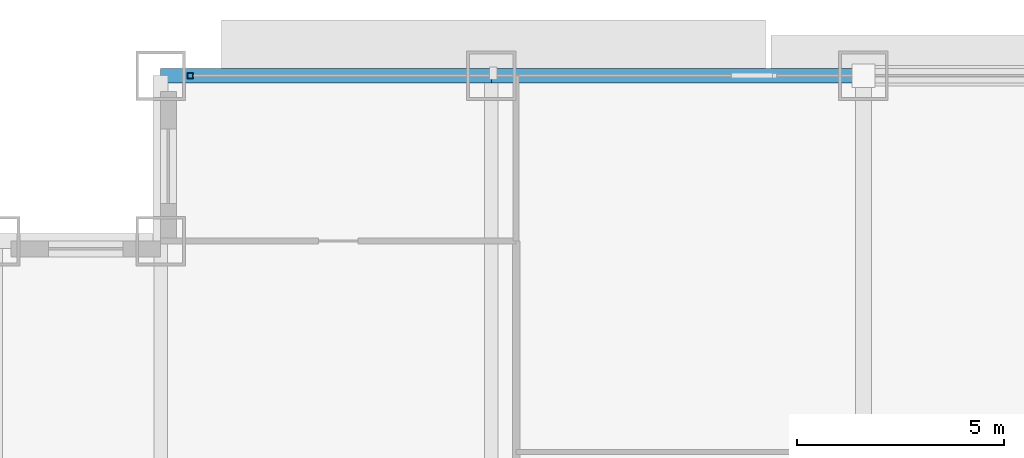
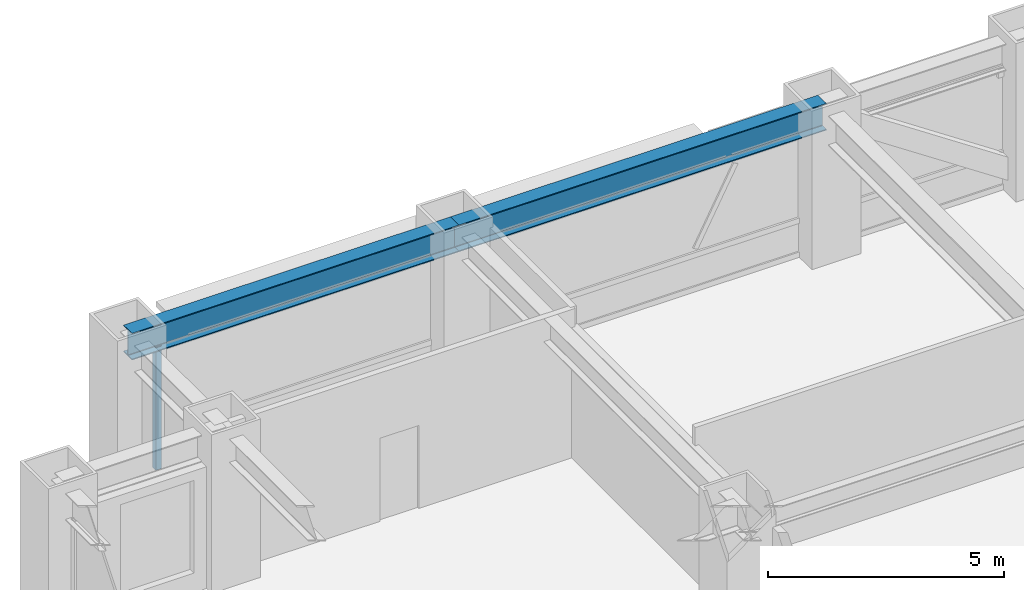
# One storey, part 17 of 32: 2 beams, 1 member, 1 element without a shape of its own.
"""IFC4 building model written with IfcOpenShell, lengths in metres."""

import ifcopenshell
import ifcopenshell.guid

model = None  # the IFC model being written
_history = None  # IfcOwnerHistory: only IFC2X3 demands one
_inside = {}  # id of a spatial element -> (the spatial element, [elements in it])
_under = {}  # id of a project, library or spatial element -> (it, [spatial elements below it])
_declared = {}  # id of a project -> (the project, [libraries it declares])
_typed = {}  # id of a type object -> (the type object, [elements of that type])
_made_of = {}  # id of a material, layer set ... -> (it, [elements and type objects made of it])


def new_model(schema):
    """Start an empty IFC model of exactly this schema.

    Asked for "IFC4X3", IfcOpenShell would pick the latest addendum, in which some entities
    have other attributes; the version numbers below select the first issue.
    IFC2X3 requires an IfcOwnerHistory on every rooted entity: one is made here for all.
    """
    global model, _history
    if schema == "IFC4X3":
        model = ifcopenshell.file(schema_version=(4, 3, 0, 0))
    else:
        model = ifcopenshell.file(schema=schema)
    _inside.clear()
    _under.clear()
    _declared.clear()
    _typed.clear()
    _made_of.clear()
    _history = None
    if model.schema == "IFC2X3":
        org = make("IfcOrganization", Name="unknown")
        user = make(
            "IfcPersonAndOrganization",
            ThePerson=make("IfcPerson", FamilyName="unknown"),
            TheOrganization=org,
        )
        app = make(
            "IfcApplication",
            ApplicationDeveloper=org,
            Version="unknown",
            ApplicationFullName="unknown",
            ApplicationIdentifier="unknown",
        )
        _history = make(
            "IfcOwnerHistory",
            OwningUser=user,
            OwningApplication=app,
            ChangeAction="ADDED",
            CreationDate=0,
        )
    return model


def make(cls, **values):
    """One entity of the class cls with the attributes given. An attribute that is None is left unset."""
    return model.create_entity(
        cls, **{name: value for name, value in values.items() if value is not None}
    )


def rooted(cls, **values):
    """An entity with a GlobalId (a new one), such as an element, a storey or a relation."""
    return make(cls, GlobalId=ifcopenshell.guid.new(), OwnerHistory=_history, **values)


def si_unit(unit_type, name, prefix=None):
    """IfcSIUnit, for example si_unit("LENGTHUNIT", "METRE", prefix="MILLI")."""
    return make("IfcSIUnit", UnitType=unit_type, Prefix=prefix, Name=name)


def assignment(units):
    """IfcUnitAssignment: the units of a project."""
    return None if units is None else make("IfcUnitAssignment", Units=units)


def point(xyz):
    """IfcCartesianPoint."""
    return None if xyz is None else make("IfcCartesianPoint", Coordinates=xyz)


def direction(xyz):
    """IfcDirection."""
    return None if xyz is None else make("IfcDirection", DirectionRatios=xyz)


def frame(location, z_axis=None, x_axis=None):
    """IfcAxis2Placement3D, a coordinate frame: its origin and axes. An axis left out is left unset."""
    return make(
        "IfcAxis2Placement3D",
        Location=point(location),
        Axis=direction(z_axis),
        RefDirection=direction(x_axis),
    )


def frame_2d(location, x_axis=None):
    """IfcAxis2Placement2D, a coordinate frame in the plane: its origin and x axis."""
    return make(
        "IfcAxis2Placement2D", Location=point(location), RefDirection=direction(x_axis)
    )


def origin():
    """The frame at (0, 0, 0) with its axes left unset."""
    return frame((0.0, 0.0, 0.0))


def origin_2d():
    """The frame at (0, 0) in the plane with its x axis left unset."""
    return frame_2d((0.0, 0.0))


def place(relative_to, where):
    """IfcLocalPlacement: puts the frame where relative to a parent placement (None: the world)."""
    return make(
        "IfcLocalPlacement", PlacementRelTo=relative_to, RelativePlacement=where
    )


def context(
    kind, dimensions, precision=None, world=None, true_north=None, identifier=None
):
    """IfcGeometricRepresentationContext, for example the 3D "Model" context."""
    return make(
        "IfcGeometricRepresentationContext",
        ContextIdentifier=identifier,
        ContextType=kind,
        CoordinateSpaceDimension=dimensions,
        Precision=precision,
        WorldCoordinateSystem=world,
        TrueNorth=true_north,
    )


def subcontext(parent, identifier, kind, view, scale=None):
    """IfcGeometricRepresentationSubContext, for example "Body" below "Model"."""
    return make(
        "IfcGeometricRepresentationSubContext",
        ContextIdentifier=identifier,
        ContextType=kind,
        ParentContext=parent,
        TargetScale=scale,
        TargetView=view,
    )


def project(units=None, contexts=None):
    """IfcProject with its units and contexts."""
    return rooted(
        "IfcProject",
        Name="project",
        RepresentationContexts=contexts,
        UnitsInContext=assignment(units),
    )


def spatial(cls, under=None, at=None, **own):
    """A site, building, storey or space (cls), placed at a placement, below another one or the project."""
    s = rooted(cls, ObjectPlacement=at, **own)
    if under is not None:
        _under.setdefault(under.id(), (under, []))[1].append(s)
    return s


def profile(cls, at=None, kind="AREA", **sizes):
    """A parametric profile (cls). Its sizes go by their IFC names, for example OverallWidth=200.0."""
    return make(cls, ProfileType=kind, Position=at, **sizes)


def hollow_rectangle(**sizes):
    """IfcRectangleHollowProfileDef."""
    return profile("IfcRectangleHollowProfileDef", **sizes)


def i_section(**sizes):
    """IfcIShapeProfileDef."""
    return profile("IfcIShapeProfileDef", **sizes)


def extrude(swept, where, along, depth):
    """IfcExtrudedAreaSolid: the profile swept, set in the frame where, extruded along a direction by depth."""
    return make(
        "IfcExtrudedAreaSolid",
        SweptArea=swept,
        Position=where,
        ExtrudedDirection=direction(along),
        Depth=depth,
    )


def shape(context_of_items, identifier, shape_type, items):
    """IfcShapeRepresentation: the items that make up one representation, for example the "Body"."""
    return make(
        "IfcShapeRepresentation",
        ContextOfItems=context_of_items,
        RepresentationIdentifier=identifier,
        RepresentationType=shape_type,
        Items=items,
    )


def source(mapping_origin, context_of_items, identifier, shape_type, items):
    """IfcRepresentationMap: a shape defined once, which mapped items show again and again."""
    return make(
        "IfcRepresentationMap",
        MappingOrigin=mapping_origin,
        MappedRepresentation=shape(context_of_items, identifier, shape_type, items),
    )


def transform(
    local_origin,
    x_axis=None,
    y_axis=None,
    z_axis=None,
    scale=None,
    scale2=None,
    scale3=None,
    uniform=True,
):
    """IfcCartesianTransformationOperator3D, or its non-uniform kind. x_axis, y_axis, z_axis: its Axis1, 2, 3."""
    if uniform:
        return make(
            "IfcCartesianTransformationOperator3D",
            Axis1=direction(x_axis),
            Axis2=direction(y_axis),
            LocalOrigin=point(local_origin),
            Scale=scale,
            Axis3=direction(z_axis),
        )
    return make(
        "IfcCartesianTransformationOperator3DnonUniform",
        Axis1=direction(x_axis),
        Axis2=direction(y_axis),
        LocalOrigin=point(local_origin),
        Scale=scale,
        Axis3=direction(z_axis),
        Scale2=scale2,
        Scale3=scale3,
    )


def mapped(mapping_source, mapping_target):
    """IfcMappedItem: shows the shape of a source again, moved by a transform."""
    return make(
        "IfcMappedItem", MappingSource=mapping_source, MappingTarget=mapping_target
    )


def material(Name=None, Category=None):
    """IfcMaterial."""
    return make("IfcMaterial", Name=Name, Category=Category)


def material_profile(
    of_material, cross_section, Name=None, Category=None, Priority=None
):
    """IfcMaterialProfile: a cross section and its material."""
    return make(
        "IfcMaterialProfile",
        Name=Name,
        Material=of_material,
        Profile=cross_section,
        Priority=Priority,
        Category=Category,
    )


def profile_set(profiles, Name=None, composite=None):
    """IfcMaterialProfileSet."""
    return make(
        "IfcMaterialProfileSet",
        Name=Name,
        MaterialProfiles=profiles,
        CompositeProfile=composite,
    )


def made_of(thing, what):
    """Note that an element or type object is made of a material, layer set ...; save() writes the relation."""
    if what is not None:
        _made_of.setdefault(what.id(), (what, []))[1].append(thing)
    return thing


def type_object(cls, material=None, **own):
    """A type object (cls), such as IfcWallType, which elements share."""
    return made_of(rooted(cls, **own), material)


def element(
    cls,
    number,
    at=None,
    inside=None,
    cuts=None,
    type_object=None,
    material=None,
    context=None,
    identifier="Body",
    shape_type=None,
    held_by="IfcProductDefinitionShape",
    body=None,
    shapes=None,
    **own,
):
    """One element of the class cls, such as IfcWall. Its Tag is "e" and its number.

    at: its placement. inside: the storey or other place that contains it. cuts: it is an
    opening in that element (IfcRelVoidsElement). A single representation is given by context,
    identifier, shape_type and body (its items); several are given by shapes. held_by: the class
    of the entity that holds the representations. save() writes the other relations.
    """
    e = rooted(cls, Tag="e%d" % number, ObjectPlacement=at, **own)
    if body is not None:
        shapes = [shape(context, identifier, shape_type, body)]
    if shapes is not None:
        e.Representation = make(held_by, Representations=shapes)
    if inside is not None:
        _inside.setdefault(inside.id(), (inside, []))[1].append(e)
    if cuts is not None:
        rooted(
            "IfcRelVoidsElement", RelatingBuildingElement=cuts, RelatedOpeningElement=e
        )
    if type_object is not None:
        _typed.setdefault(type_object.id(), (type_object, []))[1].append(e)
    return made_of(e, material)


def aggregate(whole, parts):
    """IfcRelAggregates: a whole, such as a stair, and the parts it consists of."""
    return rooted("IfcRelAggregates", RelatingObject=whole, RelatedObjects=parts)


def save(model, path):
    """Write the relations noted so far, then the file.

    IfcRelAggregates (storeys below a building ...), IfcRelContainedInSpatialStructure (elements
    in a storey), IfcRelDefinesByType, IfcRelAssociatesMaterial and IfcRelDeclares: one each for
    every whole, place, type object, material and project.
    """
    for whole, parts in _under.values():
        aggregate(whole, parts)
    for where, things in _inside.values():
        rooted(
            "IfcRelContainedInSpatialStructure",
            RelatedElements=things,
            RelatingStructure=where,
        )
    for kind, things in _typed.values():
        rooted("IfcRelDefinesByType", RelatedObjects=things, RelatingType=kind)
    for what, things in _made_of.values():
        rooted("IfcRelAssociatesMaterial", RelatedObjects=things, RelatingMaterial=what)
    for by, libraries in _declared.values():
        rooted("IfcRelDeclares", RelatingContext=by, RelatedDefinitions=libraries)
    model.write(path)


model = new_model("IFC4")

# Units and contexts
model_context = context("Model", 3, precision=1e-05, world=origin(), true_north=direction((0.0, 1.0)))
body_context = subcontext(model_context, "Body", "Model", "MODEL_VIEW")
ifc_project = project(units=[si_unit("LENGTHUNIT", "METRE"), si_unit("AREAUNIT", "SQUARE_METRE"), si_unit("VOLUMEUNIT", "CUBIC_METRE"), si_unit("PLANEANGLEUNIT", "RADIAN"), si_unit("MASSUNIT", "GRAM", prefix="KILO")], contexts=[model_context])

# Site, building, storey
site_placement = place(None, origin())
site = spatial("IfcSite", under=ifc_project, at=site_placement, CompositionType="ELEMENT")
building_placement = place(site_placement, origin())
building = spatial("IfcBuilding", under=site, at=building_placement, Name="Khorayat Bourse Tower", CompositionType="ELEMENT")
storey_placement = place(building_placement, frame((0.0, 0.0, 99.60009765625)))
storey = spatial("IfcBuildingStorey", under=building, at=storey_placement, Name="L22", CompositionType="ELEMENT", Elevation=99.60009765625)

# Beams
ifc_material_1 = material(Name="Steel ASTM A992 Grade 50", Category="steel")
ifc_material_profile_1 = material_profile(ifc_material_1, i_section(OverallWidth=0.35498046875, OverallDepth=0.695068359375, WebThickness=0.015380859375, FlangeThickness=0.02490234375, FilletRadius=0.01806640625, at=origin_2d()), Name="W690X217")
ifc_profile_set_1 = profile_set([ifc_material_profile_1], Name="Steel ASTM A992 Grade 50")
beam_type = type_object("IfcBeamType", Name="BM-SPAN-690", PredefinedType="SPANDREL", material=ifc_profile_set_1)
shared_shape_1 = source(origin(), body_context, "Body", "SweptSolid", [
    extrude(i_section(OverallWidth=0.35498046875, OverallDepth=0.695068359375, WebThickness=0.015380859375, FlangeThickness=0.02490234375, FilletRadius=0.01806640625, at=origin_2d()), origin(), (0.0, 0.0, 1.0), 9.0),
])
beam_1_placement = place(storey_placement, frame((-20.0, 32.0, 3.492431640625), z_axis=(1.0, 0.0, 0.0), x_axis=(0.0, 1.0, 0.0)))
element("IfcBeam", 1, at=beam_1_placement, inside=storey, type_object=beam_type, Name="L22 BM-SPAN-690 BM-L22-SPN-050", PredefinedType="SPANDREL", context=body_context, shape_type="MappedRepresentation", body=[
    mapped(shared_shape_1, transform((0.0, 0.0, 0.0), scale=1.0)),
])
shared_shape_2 = source(origin(), body_context, "Body", "SweptSolid", [
    extrude(i_section(OverallWidth=0.35498046875, OverallDepth=0.695068359375, WebThickness=0.015380859375, FlangeThickness=0.02490234375, FilletRadius=0.01806640625, at=origin_2d()), origin(), (0.0, 0.0, 1.0), 8.0),
])
beam_2_placement = place(storey_placement, frame((-28.0, 32.0, 3.492431640625), z_axis=(1.0, 0.0, 0.0), x_axis=(0.0, 1.0, 0.0)))
element("IfcBeam", 2, at=beam_2_placement, inside=storey, type_object=beam_type, Name="L22 BM-SPAN-690 BM-L22-SPN-051", PredefinedType="SPANDREL", context=body_context, shape_type="MappedRepresentation", body=[
    mapped(shared_shape_2, transform((0.0, 0.0, 0.0), scale=1.0)),
])

# Curtain wall, member
ifc_material_2 = material(Name="Aluminium EN AW-6063 T6", Category="aluminium")
curtain_wall_type = type_object("IfcCurtainWallType", Name="CW-SYS-02", PredefinedType="NOTDEFINED", material=ifc_material_2)
curtain_wall_placement = place(storey_placement, origin())
curtain_wall = element("IfcCurtainWall", 3, at=curtain_wall_placement, inside=storey, type_object=curtain_wall_type, Name="L22 Curtain Wall CW-L22-N1", PredefinedType="NOTDEFINED")
ifc_material_profile_2 = material_profile(ifc_material_2, hollow_rectangle(XDim=0.139892578125, YDim=0.139892578125, WallThickness=0.006103515625, at=origin_2d()), Name="ALU 140x140x6")
ifc_profile_set_2 = profile_set([ifc_material_profile_2], Name="Aluminium EN AW-6063 T6")
member_type = type_object("IfcMemberType", Name="CWM-VERT-140", PredefinedType="MULLION", material=ifc_profile_set_2)
shared_shape_3 = source(origin(), body_context, "Body", "SweptSolid", [
    extrude(hollow_rectangle(XDim=0.139892578125, YDim=0.139892578125, WallThickness=0.006103515625, at=origin_2d()), origin(), (0.0, 0.0, 1.0), 3.18994140625),
])
member_placement = place(storey_placement, frame((-27.280029296875, 32.0, 0.0), z_axis=(0.0, 0.0, 1.0), x_axis=(0.0, 1.0, 0.0)))
member = element("IfcMember", 4, at=member_placement, type_object=member_type, Name="CW-L22-N1 Vertical Mullion 1", PredefinedType="MULLION", context=body_context, shape_type="MappedRepresentation", body=[
    mapped(shared_shape_3, transform((0.0, 0.0, 0.0), scale=1.0)),
])
aggregate(curtain_wall, [member])

save(model, "model.ifc")
